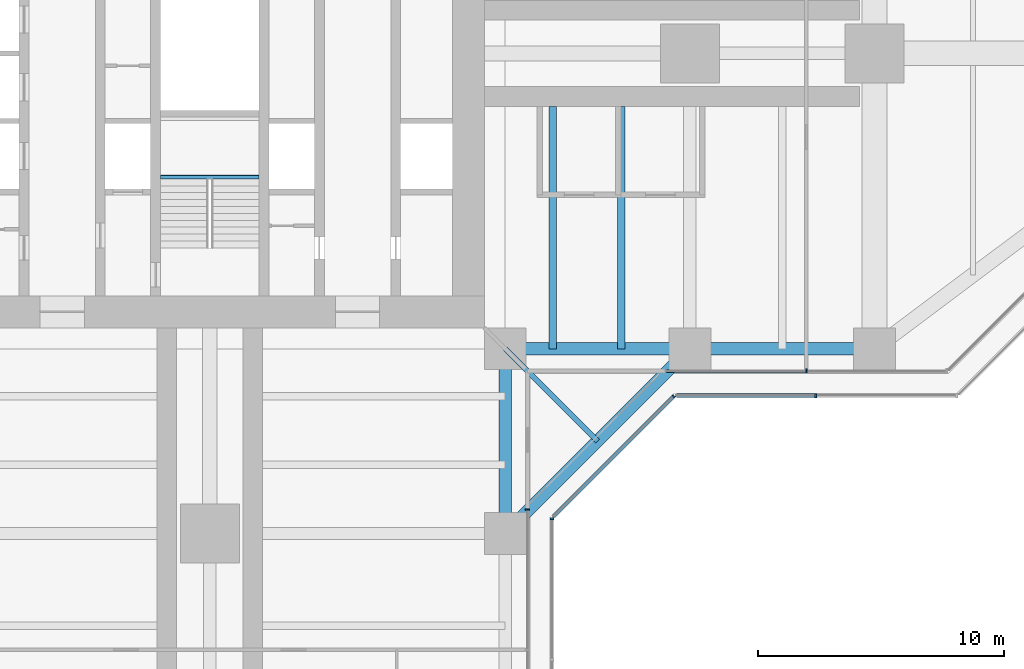
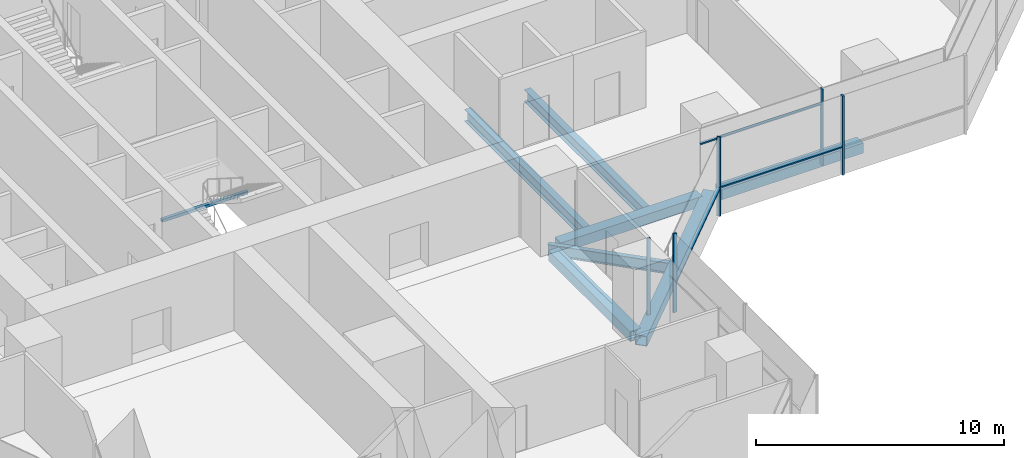
# One storey, part 6 of 22: 8 beams, 8 members, 5 elements without a shape of their own.
"""IFC4 building model written with IfcOpenShell, lengths in metres."""

from ifc_helpers import new_model, si_unit, direction, frame, origin, origin_2d, place, context, subcontext, project, spatial, rectangle, hollow_rectangle, i_section, extrude, material, material_profile, profile_set, type_object, element, aggregate, save


model = new_model("IFC4")

# Units and contexts
model_context = context("Model", 3, precision=1e-05, world=origin(), true_north=direction((0.0, 1.0)))
body_context = subcontext(model_context, "Body", "Model", "MODEL_VIEW")
ifc_project = project(units=[si_unit("LENGTHUNIT", "METRE"), si_unit("AREAUNIT", "SQUARE_METRE"), si_unit("VOLUMEUNIT", "CUBIC_METRE"), si_unit("PLANEANGLEUNIT", "RADIAN"), si_unit("MASSUNIT", "GRAM", prefix="KILO")], contexts=[model_context])

# Site, building, storey
site_placement = place(None, origin())
site = spatial("IfcSite", under=ifc_project, at=site_placement, CompositionType="ELEMENT")
building_placement = place(site_placement, origin())
building = spatial("IfcBuilding", under=site, at=building_placement, Name="Mizan Broadcast Tower", CompositionType="ELEMENT")
storey_placement = place(building_placement, frame((0.0, 0.0, 55.199951171875)))
storey = spatial("IfcBuildingStorey", under=building, at=storey_placement, Name="L10", CompositionType="ELEMENT", Elevation=55.199951171875)

# Beams
ifc_material_1 = material(Name="Steel S355", Category="steel")
ifc_material_profile_1 = material_profile(ifc_material_1, hollow_rectangle(XDim=0.5, YDim=0.5, WallThickness=0.030029296875, at=origin_2d()), Name="BOX 500x500x30")
ifc_profile_set_1 = profile_set([ifc_material_profile_1], Name="Steel S355")
beam_type_1 = type_object("IfcBeamType", Name="EDGE BEAM BOX 500x500x30", PredefinedType="SPANDREL", material=ifc_profile_set_1)
for number, where, z_axis, x_axis, name in (
    (1, (12.449951171875, -12.0, -0.3798828125), (1.0, 0.0, 0.0), (0.0, 1.0, 0.0), "Edge beam BOX 500x500x30 L10 east arm"),
    (2, (19.949951171875, -12.0, -0.3798828125), (1.0, 0.0, 0.0), (0.0, 1.0, 0.0), "Edge beam BOX 500x500x30 L10 east arm"),
    (3, (12.0, -12.449951171875, -0.3798828125), (0.0, -1.0, 0.0), (1.0, 0.0, 0.0), "Edge beam BOX 500x500x30 L10 south arm"),
):
    element("IfcBeam", number, at=place(storey_placement, frame(where, z_axis=z_axis, x_axis=x_axis)), inside=storey, type_object=beam_type_1, Name=name, PredefinedType="SPANDREL", context=body_context, shape_type="SweptSolid", body=[
        extrude(hollow_rectangle(XDim=0.5, YDim=0.5, WallThickness=0.030029296875, at=origin_2d()), origin(), (0.0, 0.0, 1.0), 6.60009765625),
    ])
beam_1_placement = place(storey_placement, frame((12.0, -19.5, -0.3798828125), z_axis=(0.707106781187, 0.707106781187, 0.0), x_axis=(-0.707106781187, 0.707106781187, 0.0)))
element("IfcBeam", 4, at=beam_1_placement, inside=storey, type_object=beam_type_1, Name="Winter garden edge beam L10 S", PredefinedType="SPANDREL", context=body_context, shape_type="SweptSolid", body=[
    extrude(hollow_rectangle(XDim=0.5, YDim=0.5, WallThickness=0.030029296875, at=origin_2d()), origin(), (0.0, 0.0, 1.0), 10.606689453125),
])

# Curtain wall, member
ifc_material_2 = material(Name="Aluminium framed glazing", Category="aluminium")
curtain_wall_type_1 = type_object("IfcCurtainWallType", Name="INNER SKIN LOW ZONE", PredefinedType="USERDEFINED", material=ifc_material_2)
curtain_wall_1_placement = place(storey_placement, origin())
curtain_wall_1 = element("IfcCurtainWall", 5, at=curtain_wall_1_placement, inside=storey, type_object=curtain_wall_type_1, Name="Inner skin low zone L10 E side", ObjectType="INNER SKIN LOW ZONE", PredefinedType="USERDEFINED")
ifc_material_3 = material(Name="Aluminium, pale anodised", Category="aluminium")
ifc_material_profile_2 = material_profile(ifc_material_3, rectangle(XDim=0.159912109375, YDim=0.06005859375, at=origin_2d()), Name="MULLION 160x60")
ifc_profile_set_2 = profile_set([ifc_material_profile_2], Name="Aluminium, pale anodised")
member_type_1 = type_object("IfcMemberType", Name="INNER SKIN MULLION 60x160", PredefinedType="MULLION", material=ifc_profile_set_2)
member_1_placement = place(storey_placement, frame((24.229248046875, -12.89990234375, 0.0), z_axis=(0.0, 0.0, 1.0), x_axis=(0.0, 1.0, 0.0)))
member_1 = element("IfcMember", 6, at=member_1_placement, type_object=member_type_1, Name="Inner skin low zone L10 E side mullion 2", PredefinedType="MULLION", context=body_context, shape_type="SweptSolid", body=[
    extrude(rectangle(XDim=0.159912109375, YDim=0.06005859375, at=origin_2d()), origin(), (0.0, 0.0, 1.0), 3.77001953125),
])

curtain_wall_2_placement = place(storey_placement, origin())
curtain_wall_2 = element("IfcCurtainWall", 7, at=curtain_wall_2_placement, inside=storey, type_object=curtain_wall_type_1, Name="Inner skin low zone L10 S side", ObjectType="INNER SKIN LOW ZONE", PredefinedType="USERDEFINED")
member_2_placement = place(storey_placement, frame((12.89990234375, -18.530029296875, 0.0), z_axis=(0.0, 0.0, 1.0), x_axis=(-1.0, 0.0, 0.0)))
member_2 = element("IfcMember", 8, at=member_2_placement, type_object=member_type_1, Name="Inner skin low zone L10 S side mullion 3", PredefinedType="MULLION", context=body_context, shape_type="SweptSolid", body=[
    extrude(rectangle(XDim=0.159912109375, YDim=0.06005859375, at=origin_2d()), origin(), (0.0, 0.0, 1.0), 3.77001953125),
])
aggregate(curtain_wall_2, [member_2])

# Member
ifc_material_4 = material(Name="Aluminium, pale anodised", Category="aluminium")
ifc_material_profile_3 = material_profile(ifc_material_4, rectangle(XDim=0.1201171875, YDim=0.06005859375, at=origin_2d()), Name="TRANSOM 120x60")
ifc_profile_set_3 = profile_set([ifc_material_profile_3], Name="Aluminium, pale anodised")
member_type_2 = type_object("IfcMemberType", Name="INNER SKIN TRANSOM 60x120", PredefinedType="USERDEFINED", material=ifc_profile_set_3)
member_3_placement = place(storey_placement, frame((18.56005859375, -12.89990234375, 3.030029296875), z_axis=(1.0, 0.0, 0.0), x_axis=(0.0, 1.0, 0.0)))
member_3 = element("IfcMember", 9, at=member_3_placement, type_object=member_type_2, Name="Inner skin low zone L10 E side transom 1.1", ObjectType="TRANSOM", PredefinedType="USERDEFINED", context=body_context, shape_type="SweptSolid", body=[
    extrude(rectangle(XDim=0.1201171875, YDim=0.06005859375, at=origin_2d()), origin(), (0.0, 0.0, 1.0), 5.63916015625),
])

aggregate(curtain_wall_1, [member_1, member_3])

# Beam
ifc_material_5 = material(Name="Steel S355", Category="steel")
ifc_material_profile_4 = material_profile(ifc_material_5, hollow_rectangle(XDim=0.14990234375, YDim=0.14990234375, WallThickness=0.008056640625, InnerFilletRadius=0.008056640625, OuterFilletRadius=0.011962890625, at=origin_2d()), Name="SHS 150x150x8")
ifc_profile_set_4 = profile_set([ifc_material_profile_4], Name="Steel S355")
beam_type_2 = type_object("IfcBeamType", Name="LANDING TRIMMER SHS 150x150x8", PredefinedType="BEAM", material=ifc_profile_set_4)
beam_2_placement = place(storey_placement, frame((-2.0, -5.02490234375, 1.675048828125), z_axis=(1.0, 0.0, 0.0), x_axis=(0.0, 1.0, 0.0)))
element("IfcBeam", 10, at=beam_2_placement, inside=storey, type_object=beam_type_2, Name="Stair A landing trimmer L10", PredefinedType="BEAM", context=body_context, shape_type="SweptSolid", body=[
    extrude(hollow_rectangle(XDim=0.14990234375, YDim=0.14990234375, WallThickness=0.008056640625, InnerFilletRadius=0.008056640625, OuterFilletRadius=0.011962890625, at=origin_2d()), origin(), (0.0, 0.0, 1.0), 4.0),
])

# Curtain wall, member
ifc_material_6 = material(Name="Aluminium framed glazing", Category="aluminium")
curtain_wall_type_2 = type_object("IfcCurtainWallType", Name="OUTER SKIN", PredefinedType="USERDEFINED", material=ifc_material_6)
curtain_wall_3_placement = place(storey_placement, origin())
curtain_wall_3 = element("IfcCurtainWall", 11, at=curtain_wall_3_placement, inside=storey, type_object=curtain_wall_type_2, Name="Outer skin L10 S side", ObjectType="OUTER SKIN", PredefinedType="USERDEFINED")
ifc_material_7 = material(Name="Aluminium, pale anodised", Category="aluminium")
ifc_material_profile_5 = material_profile(ifc_material_7, rectangle(XDim=0.159912109375, YDim=0.080078125, at=origin_2d()), Name="MULLION 160x80")
ifc_profile_set_5 = profile_set([ifc_material_profile_5], Name="Aluminium, pale anodised")
member_type_3 = type_object("IfcMemberType", Name="OUTER SKIN MULLION 80x160", PredefinedType="MULLION", material=ifc_profile_set_5)
member_4_placement = place(storey_placement, frame((13.89990234375, -18.912841796875, 0.0), z_axis=(0.0, 0.0, 1.0), x_axis=(-1.0, 0.0, 0.0)))
member_4 = element("IfcMember", 12, at=member_4_placement, type_object=member_type_3, Name="Outer skin L10 S side mullion 3", PredefinedType="MULLION", context=body_context, shape_type="SweptSolid", body=[
    extrude(rectangle(XDim=0.159912109375, YDim=0.080078125, at=origin_2d()), origin(), (0.0, 0.0, 1.0), 3.900146484375),
])
aggregate(curtain_wall_3, [member_4])

curtain_wall_4_placement = place(storey_placement, origin())
curtain_wall_4 = element("IfcCurtainWall", 13, at=curtain_wall_4_placement, inside=storey, type_object=curtain_wall_type_2, Name="Outer skin L10 E chamfer", ObjectType="OUTER SKIN", PredefinedType="USERDEFINED")
member_5_placement = place(storey_placement, frame((18.844482421875, -13.92822265625, 0.0), z_axis=(0.0, 0.0, 1.0), x_axis=(-0.707106781187, 0.707106781187, 0.0)))
member_5 = element("IfcMember", 14, at=member_5_placement, type_object=member_type_3, Name="Outer skin L10 E chamfer mullion 2", PredefinedType="MULLION", context=body_context, shape_type="SweptSolid", body=[
    extrude(rectangle(XDim=0.159912109375, YDim=0.080078125, at=origin_2d()), origin(), (0.0, 0.0, 1.0), 3.900146484375),
])

curtain_wall_5_placement = place(storey_placement, origin())
curtain_wall_5 = element("IfcCurtainWall", 15, at=curtain_wall_5_placement, inside=storey, type_object=curtain_wall_type_2, Name="Outer skin L10 E side", ObjectType="OUTER SKIN", PredefinedType="USERDEFINED")
member_6_placement = place(storey_placement, frame((24.622802734375, -13.89990234375, 0.0), z_axis=(0.0, 0.0, 1.0), x_axis=(0.0, 1.0, 0.0)))
member_6 = element("IfcMember", 16, at=member_6_placement, type_object=member_type_3, Name="Outer skin L10 E side mullion 2", PredefinedType="MULLION", context=body_context, shape_type="SweptSolid", body=[
    extrude(rectangle(XDim=0.159912109375, YDim=0.080078125, at=origin_2d()), origin(), (0.0, 0.0, 1.0), 3.900146484375),
])

# Member
ifc_material_8 = material(Name="Aluminium, pale anodised", Category="aluminium")
ifc_material_profile_6 = material_profile(ifc_material_8, rectangle(XDim=0.159912109375, YDim=0.06005859375, at=origin_2d()), Name="TRANSOM 160x60")
ifc_profile_set_6 = profile_set([ifc_material_profile_6], Name="Aluminium, pale anodised")
member_type_4 = type_object("IfcMemberType", Name="OUTER SKIN TRANSOM 60x160", PredefinedType="USERDEFINED", material=ifc_profile_set_6)
member_7_placement = place(storey_placement, frame((13.95654296875, -18.816162109375, 1.400146484375), z_axis=(0.707106781187, 0.707106781187, 0.0), x_axis=(-0.707106781187, 0.707106781187, 0.0)))
member_7 = element("IfcMember", 17, at=member_7_placement, type_object=member_type_4, Name="Outer skin L10 E chamfer transom 1.1", ObjectType="TRANSOM", PredefinedType="USERDEFINED", context=body_context, shape_type="SweptSolid", body=[
    extrude(rectangle(XDim=0.159912109375, YDim=0.06005859375, at=origin_2d()), origin(), (0.0, 0.0, 1.0), 6.87255859375),
])

aggregate(curtain_wall_4, [member_5, member_7])

member_8_placement = place(storey_placement, frame((18.952880859375, -13.89990234375, 1.400146484375), z_axis=(1.0, 0.0, 0.0), x_axis=(0.0, 1.0, 0.0)))
member_8 = element("IfcMember", 18, at=member_8_placement, type_object=member_type_4, Name="Outer skin L10 E side transom 1.1", ObjectType="TRANSOM", PredefinedType="USERDEFINED", context=body_context, shape_type="SweptSolid", body=[
    extrude(rectangle(XDim=0.159912109375, YDim=0.06005859375, at=origin_2d()), origin(), (0.0, 0.0, 1.0), 5.6298828125),
])

aggregate(curtain_wall_5, [member_6, member_8])

# Beams
ifc_material_9 = material(Name="Steel S355", Category="steel")
ifc_material_profile_7 = material_profile(ifc_material_9, i_section(OverallWidth=0.300048828125, OverallDepth=0.590087890625, WebThickness=0.012939453125, FlangeThickness=0.02490234375, FilletRadius=0.027099609375, at=origin_2d()), Name="HEA 600")
ifc_profile_set_7 = profile_set([ifc_material_profile_7], Name="Steel S355")
beam_type_3 = type_object("IfcBeamType", Name="SECONDARY BEAM HEA 600", PredefinedType="JOIST", material=ifc_profile_set_7)
for number, where, z_axis, x_axis, name in (
    (19, (13.933349609375, -12.0, -0.425048828125), (0.0, 1.0, 0.0), (-1.0, 0.0, 0.0), "Secondary beam HEA 600 L10 east arm"),
    (20, (16.716552734375, -12.0, -0.425048828125), (0.0, 1.0, 0.0), (-1.0, 0.0, 0.0), "Secondary beam HEA 600 L10 east arm"),
):
    element("IfcBeam", number, at=place(storey_placement, frame(where, z_axis=z_axis, x_axis=x_axis)), inside=storey, type_object=beam_type_3, Name=name, PredefinedType="JOIST", context=body_context, shape_type="SweptSolid", body=[
        extrude(i_section(OverallWidth=0.300048828125, OverallDepth=0.590087890625, WebThickness=0.012939453125, FlangeThickness=0.02490234375, FilletRadius=0.027099609375, at=origin_2d()), origin(), (0.0, 0.0, 1.0), 9.85009765625),
    ])
ifc_material_10 = material(Name="Steel S355", Category="steel")
ifc_material_profile_8 = material_profile(ifc_material_10, i_section(OverallWidth=0.2099609375, OverallDepth=0.550048828125, WebThickness=0.010986328125, FlangeThickness=0.01708984375, FilletRadius=0.02392578125, at=origin_2d()), Name="IPE 550")
ifc_profile_set_8 = profile_set([ifc_material_profile_8], Name="Steel S355")
beam_type_4 = type_object("IfcBeamType", Name="SECONDARY BEAM IPE 550", PredefinedType="JOIST", material=ifc_profile_set_8)
beam_3_placement = place(storey_placement, frame((12.0, -12.0, -0.405029296875), z_axis=(0.707106781187, -0.707106781187, 0.0), x_axis=(0.707106781187, 0.707106781187, 0.0)))
element("IfcBeam", 21, at=beam_3_placement, inside=storey, type_object=beam_type_4, Name="Winter garden beam L10 S", PredefinedType="JOIST", context=body_context, shape_type="SweptSolid", body=[
    extrude(i_section(OverallWidth=0.2099609375, OverallDepth=0.550048828125, WebThickness=0.010986328125, FlangeThickness=0.01708984375, FilletRadius=0.02392578125, at=origin_2d()), origin(), (0.0, 0.0, 1.0), 5.30322265625),
])

save(model, "model.ifc")
